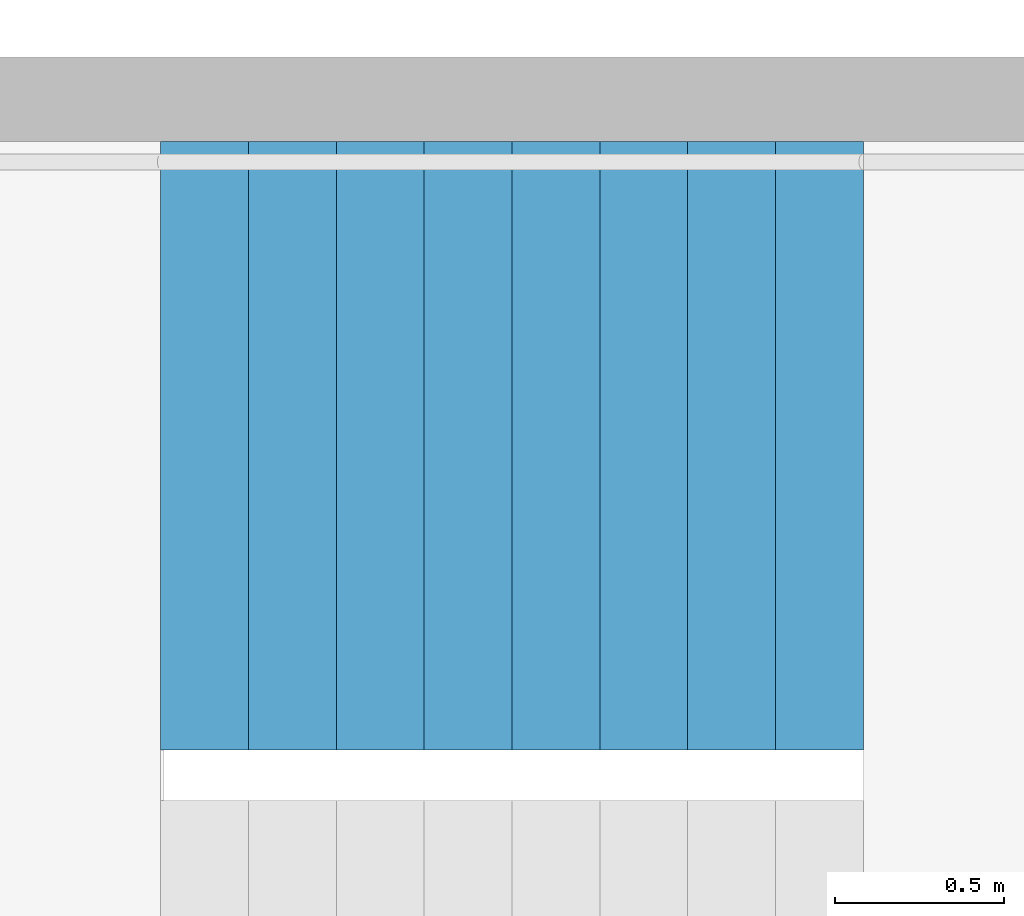
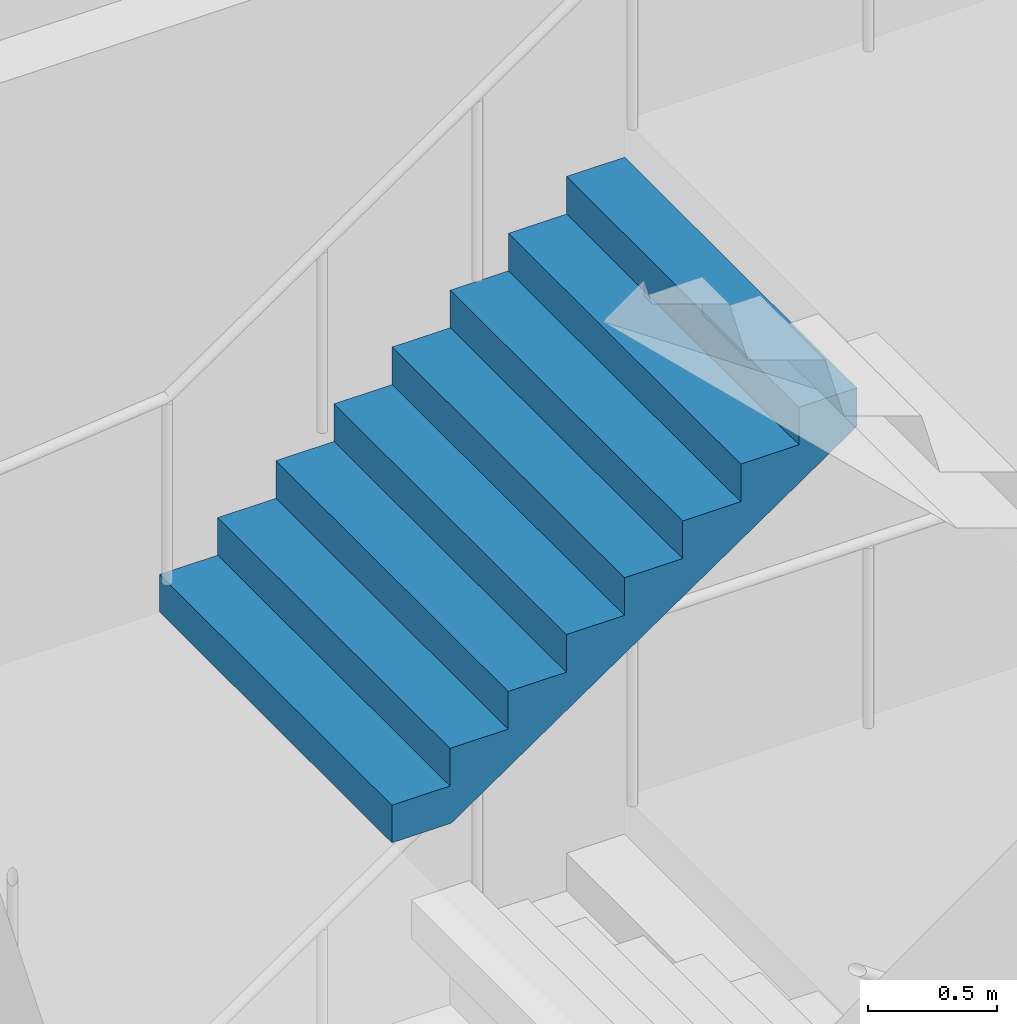
# One storey, part 26 of 41: 1 stair flight, 1 element without a shape of its own.
"""IFC4 building model written with IfcOpenShell, lengths in metres."""

from ifc_helpers import new_model, si_unit, direction, frame, origin, place, context, subcontext, project, spatial, triangles, material, type_object, element, aggregate, save


model = new_model("IFC4")

# Units and contexts
model_context = context("Model", 3, precision=1e-05, world=origin(), true_north=direction((0.0, 1.0)))
body_context = subcontext(model_context, "Body", "Model", "MODEL_VIEW")
ifc_project = project(units=[si_unit("LENGTHUNIT", "METRE"), si_unit("AREAUNIT", "SQUARE_METRE"), si_unit("VOLUMEUNIT", "CUBIC_METRE"), si_unit("PLANEANGLEUNIT", "RADIAN"), si_unit("MASSUNIT", "GRAM", prefix="KILO")], contexts=[model_context])

# Site, building, storey
site_placement = place(None, origin())
site = spatial("IfcSite", under=ifc_project, at=site_placement, CompositionType="ELEMENT")
building_placement = place(site_placement, origin())
building = spatial("IfcBuilding", under=site, at=building_placement, Name="Hakoniwa Tower and Hamabe Station Hall", CompositionType="ELEMENT")
storey_placement = place(building_placement, frame((0.0, 0.0, 180.199951171875)))
storey = spatial("IfcBuildingStorey", under=building, at=storey_placement, Name="L51", CompositionType="ELEMENT", Elevation=180.199951171875)

# Stair, stair flight
ifc_material_1 = material(Name="Concrete C40", Category="concrete")
stair_type = type_object("IfcStairType", Name="ESCAPE STAIR 1800", PredefinedType="HALF_TURN_STAIR", material=ifc_material_1)
stair_placement = place(storey_placement, origin())
stair = element("IfcStair", 1, at=stair_placement, inside=storey, type_object=stair_type, Name="Escape stair ST-4 L51", PredefinedType="HALF_TURN_STAIR")
ifc_material_2 = material(Name="Concrete C40", Category="concrete")
stair_flight_type = type_object("IfcStairFlightType", Name="STAIR FLIGHT 1800", PredefinedType="STRAIGHT", material=ifc_material_2)
stair_flight_placement = place(storey_placement, frame((23.39990234375, -4.64990234375, 3.199951171875), z_axis=(0.0, 0.0, 1.0), x_axis=(1.0, 0.0, 0.0)))
stair_flight = element("IfcStairFlight", 2, at=stair_flight_placement, type_object=stair_flight_type, Name="ST-4 flight 3", NumberOfRisers=9, NumberOfTreads=8, PredefinedType="STRAIGHT", RiserHeight=0.177777778, TreadLength=0.26, context=body_context, shape_type="Tessellation", body=[
    triangles([(0.0, 0.89990234375, 0.0), (0.260009765625, 0.89990234375, 0.0), (0.265625, 0.89990234375, 0.0), (0.52001953125, 0.89990234375, 0.174072265625), (0.780029296875, 0.89990234375, 0.351806640625), (1.0400390625, 0.89990234375, 0.529541015625), (1.300048828125, 0.89990234375, 0.707275390625), (1.56005859375, 0.89990234375, 0.885009765625), (1.820068359375, 0.89990234375, 1.062744140625), (2.080078125, 0.89990234375, 1.24072265625), (2.080078125, 0.89990234375, 1.422119140625), (1.820068359375, 0.89990234375, 1.422119140625), (1.820068359375, 0.89990234375, 1.244384765625), (1.56005859375, 0.89990234375, 1.244384765625), (1.56005859375, 0.89990234375, 1.066650390625), (1.300048828125, 0.89990234375, 1.066650390625), (1.300048828125, 0.89990234375, 0.888916015625), (1.0400390625, 0.89990234375, 0.888916015625), (1.0400390625, 0.89990234375, 0.711181640625), (0.780029296875, 0.89990234375, 0.711181640625), (0.780029296875, 0.89990234375, 0.533447265625), (0.52001953125, 0.89990234375, 0.533447265625), (0.52001953125, 0.89990234375, 0.35546875), (0.265625, 0.89990234375, 0.35546875), (0.260009765625, 0.89990234375, 0.35546875), (0.260009765625, 0.89990234375, 0.177734375), (0.0, 0.89990234375, 0.177734375), (0.0, 0.06005859375, 0.0), (0.260009765625, 0.06005859375, 0.0), (0.265625, 0.06005859375, 0.0), (0.52001953125, 0.06005859375, 0.174072265625), (0.780029296875, 0.06005859375, 0.351806640625), (1.0400390625, 0.06005859375, 0.529541015625), (1.300048828125, 0.06005859375, 0.707275390625), (1.56005859375, 0.06005859375, 0.885009765625), (1.820068359375, 0.06005859375, 1.062744140625), (2.080078125, 0.06005859375, 1.24072265625), (2.080078125, 0.06005859375, 1.422119140625), (1.820068359375, 0.06005859375, 1.422119140625), (1.820068359375, 0.06005859375, 1.244384765625), (1.56005859375, 0.06005859375, 1.244384765625), (1.56005859375, 0.06005859375, 1.066650390625), (1.300048828125, 0.06005859375, 1.066650390625), (1.300048828125, 0.06005859375, 0.888916015625), (1.0400390625, 0.06005859375, 0.888916015625), (1.0400390625, 0.06005859375, 0.711181640625), (0.780029296875, 0.06005859375, 0.711181640625), (0.780029296875, 0.06005859375, 0.533447265625), (0.52001953125, 0.06005859375, 0.533447265625), (0.52001953125, 0.06005859375, 0.35546875), (0.265625, 0.06005859375, 0.35546875), (0.260009765625, 0.06005859375, 0.35546875), (0.260009765625, 0.06005859375, 0.177734375), (0.0, 0.06005859375, 0.177734375), (0.0, 0.04296875, 0.0), (0.260009765625, 0.04296875, 0.0), (0.265625, 0.04296875, 0.0), (0.52001953125, 0.04296875, 0.174072265625), (0.780029296875, 0.04296875, 0.351806640625), (1.0400390625, 0.04296875, 0.529541015625), (1.300048828125, 0.04296875, 0.707275390625), (1.56005859375, 0.04296875, 0.885009765625), (1.820068359375, 0.04296875, 1.062744140625), (2.080078125, 0.04296875, 1.24072265625), (2.080078125, 0.04296875, 1.422119140625), (1.820068359375, 0.04296875, 1.422119140625), (1.820068359375, 0.04296875, 1.244384765625), (1.56005859375, 0.04296875, 1.244384765625), (1.56005859375, 0.04296875, 1.066650390625), (1.300048828125, 0.04296875, 1.066650390625), (1.300048828125, 0.04296875, 0.888916015625), (1.0400390625, 0.04296875, 0.888916015625), (1.0400390625, 0.04296875, 0.711181640625), (0.780029296875, 0.04296875, 0.711181640625), (0.780029296875, 0.04296875, 0.533447265625), (0.52001953125, 0.04296875, 0.533447265625), (0.52001953125, 0.04296875, 0.35546875), (0.265625, 0.04296875, 0.35546875), (0.260009765625, 0.04296875, 0.35546875), (0.260009765625, 0.04296875, 0.177734375), (0.0, 0.04296875, 0.177734375), (0.0, 0.025634765625, 0.0), (0.260009765625, 0.025634765625, 0.0), (0.265625, 0.025634765625, 0.0), (0.52001953125, 0.025634765625, 0.174072265625), (0.780029296875, 0.025634765625, 0.351806640625), (1.0400390625, 0.025634765625, 0.529541015625), (1.300048828125, 0.025634765625, 0.707275390625), (1.56005859375, 0.025634765625, 0.885009765625), (1.820068359375, 0.025634765625, 1.062744140625), (2.080078125, 0.025634765625, 1.24072265625), (2.080078125, 0.025634765625, 1.422119140625), (1.820068359375, 0.025634765625, 1.422119140625), (1.820068359375, 0.025634765625, 1.244384765625), (1.56005859375, 0.025634765625, 1.244384765625), (1.56005859375, 0.025634765625, 1.066650390625), (1.300048828125, 0.025634765625, 1.066650390625), (1.300048828125, 0.025634765625, 0.888916015625), (1.0400390625, 0.025634765625, 0.888916015625), (1.0400390625, 0.025634765625, 0.711181640625), (0.780029296875, 0.025634765625, 0.711181640625), (0.780029296875, 0.025634765625, 0.533447265625), (0.52001953125, 0.025634765625, 0.533447265625), (0.52001953125, 0.025634765625, 0.35546875), (0.265625, 0.025634765625, 0.35546875), (0.260009765625, 0.025634765625, 0.35546875), (0.260009765625, 0.025634765625, 0.177734375), (0.0, 0.025634765625, 0.177734375), (0.0, 0.008544921875, 0.0), (0.260009765625, 0.008544921875, 0.0), (0.265625, 0.008544921875, 0.0), (0.52001953125, 0.008544921875, 0.174072265625), (0.780029296875, 0.008544921875, 0.351806640625), (1.0400390625, 0.008544921875, 0.529541015625), (1.300048828125, 0.008544921875, 0.707275390625), (1.56005859375, 0.008544921875, 0.885009765625), (1.820068359375, 0.008544921875, 1.062744140625), (2.080078125, 0.008544921875, 1.24072265625), (2.080078125, 0.008544921875, 1.422119140625), (1.820068359375, 0.008544921875, 1.422119140625), (1.820068359375, 0.008544921875, 1.244384765625), (1.56005859375, 0.008544921875, 1.244384765625), (1.56005859375, 0.008544921875, 1.066650390625), (1.300048828125, 0.008544921875, 1.066650390625), (1.300048828125, 0.008544921875, 0.888916015625), (1.0400390625, 0.008544921875, 0.888916015625), (1.0400390625, 0.008544921875, 0.711181640625), (0.780029296875, 0.008544921875, 0.711181640625), (0.780029296875, 0.008544921875, 0.533447265625), (0.52001953125, 0.008544921875, 0.533447265625), (0.52001953125, 0.008544921875, 0.35546875), (0.265625, 0.008544921875, 0.35546875), (0.260009765625, 0.008544921875, 0.35546875), (0.260009765625, 0.008544921875, 0.177734375), (0.0, 0.008544921875, 0.177734375), (0.0, -0.008544921875, 0.0), (0.260009765625, -0.008544921875, 0.0), (0.265625, -0.008544921875, 0.0), (0.52001953125, -0.008544921875, 0.174072265625), (0.780029296875, -0.008544921875, 0.351806640625), (1.0400390625, -0.008544921875, 0.529541015625), (1.300048828125, -0.008544921875, 0.707275390625), (1.56005859375, -0.008544921875, 0.885009765625), (1.820068359375, -0.008544921875, 1.062744140625), (2.080078125, -0.008544921875, 1.24072265625), (2.080078125, -0.008544921875, 1.422119140625), (1.820068359375, -0.008544921875, 1.422119140625), (1.820068359375, -0.008544921875, 1.244384765625), (1.56005859375, -0.008544921875, 1.244384765625), (1.56005859375, -0.008544921875, 1.066650390625), (1.300048828125, -0.008544921875, 1.066650390625), (1.300048828125, -0.008544921875, 0.888916015625), (1.0400390625, -0.008544921875, 0.888916015625), (1.0400390625, -0.008544921875, 0.711181640625), (0.780029296875, -0.008544921875, 0.711181640625), (0.780029296875, -0.008544921875, 0.533447265625), (0.52001953125, -0.008544921875, 0.533447265625), (0.52001953125, -0.008544921875, 0.35546875), (0.265625, -0.008544921875, 0.35546875), (0.260009765625, -0.008544921875, 0.35546875), (0.260009765625, -0.008544921875, 0.177734375), (0.0, -0.008544921875, 0.177734375), (0.0, -0.025634765625, 0.0), (0.260009765625, -0.025634765625, 0.0), (0.265625, -0.025634765625, 0.0), (0.52001953125, -0.025634765625, 0.174072265625), (0.780029296875, -0.025634765625, 0.351806640625), (1.0400390625, -0.025634765625, 0.529541015625), (1.300048828125, -0.025634765625, 0.707275390625), (1.56005859375, -0.025634765625, 0.885009765625), (1.820068359375, -0.025634765625, 1.062744140625), (2.080078125, -0.025634765625, 1.24072265625), (2.080078125, -0.025634765625, 1.422119140625), (1.820068359375, -0.025634765625, 1.422119140625), (1.820068359375, -0.025634765625, 1.244384765625), (1.56005859375, -0.025634765625, 1.244384765625), (1.56005859375, -0.025634765625, 1.066650390625), (1.300048828125, -0.025634765625, 1.066650390625), (1.300048828125, -0.025634765625, 0.888916015625), (1.0400390625, -0.025634765625, 0.888916015625), (1.0400390625, -0.025634765625, 0.711181640625), (0.780029296875, -0.025634765625, 0.711181640625), (0.780029296875, -0.025634765625, 0.533447265625), (0.52001953125, -0.025634765625, 0.533447265625), (0.52001953125, -0.025634765625, 0.35546875), (0.265625, -0.025634765625, 0.35546875), (0.260009765625, -0.025634765625, 0.35546875), (0.260009765625, -0.025634765625, 0.177734375), (0.0, -0.025634765625, 0.177734375), (0.0, -0.04296875, 0.0), (0.260009765625, -0.04296875, 0.0), (0.265625, -0.04296875, 0.0), (0.52001953125, -0.04296875, 0.174072265625), (0.780029296875, -0.04296875, 0.351806640625), (1.0400390625, -0.04296875, 0.529541015625), (1.300048828125, -0.04296875, 0.707275390625), (1.56005859375, -0.04296875, 0.885009765625), (1.820068359375, -0.04296875, 1.062744140625), (2.080078125, -0.04296875, 1.24072265625), (2.080078125, -0.04296875, 1.422119140625), (1.820068359375, -0.04296875, 1.422119140625), (1.820068359375, -0.04296875, 1.244384765625), (1.56005859375, -0.04296875, 1.244384765625), (1.56005859375, -0.04296875, 1.066650390625), (1.300048828125, -0.04296875, 1.066650390625), (1.300048828125, -0.04296875, 0.888916015625), (1.0400390625, -0.04296875, 0.888916015625), (1.0400390625, -0.04296875, 0.711181640625), (0.780029296875, -0.04296875, 0.711181640625), (0.780029296875, -0.04296875, 0.533447265625), (0.52001953125, -0.04296875, 0.533447265625), (0.52001953125, -0.04296875, 0.35546875), (0.265625, -0.04296875, 0.35546875), (0.260009765625, -0.04296875, 0.35546875), (0.260009765625, -0.04296875, 0.177734375), (0.0, -0.04296875, 0.177734375), (0.0, -0.06005859375, 0.0), (0.260009765625, -0.06005859375, 0.0), (0.265625, -0.06005859375, 0.0), (0.52001953125, -0.06005859375, 0.174072265625), (0.780029296875, -0.06005859375, 0.351806640625), (1.0400390625, -0.06005859375, 0.529541015625), (1.300048828125, -0.06005859375, 0.707275390625), (1.56005859375, -0.06005859375, 0.885009765625), (1.820068359375, -0.06005859375, 1.062744140625), (2.080078125, -0.06005859375, 1.24072265625), (2.080078125, -0.06005859375, 1.422119140625), (1.820068359375, -0.06005859375, 1.422119140625), (1.820068359375, -0.06005859375, 1.244384765625), (1.56005859375, -0.06005859375, 1.244384765625), (1.56005859375, -0.06005859375, 1.066650390625), (1.300048828125, -0.06005859375, 1.066650390625), (1.300048828125, -0.06005859375, 0.888916015625), (1.0400390625, -0.06005859375, 0.888916015625), (1.0400390625, -0.06005859375, 0.711181640625), (0.780029296875, -0.06005859375, 0.711181640625), (0.780029296875, -0.06005859375, 0.533447265625), (0.52001953125, -0.06005859375, 0.533447265625), (0.52001953125, -0.06005859375, 0.35546875), (0.265625, -0.06005859375, 0.35546875), (0.260009765625, -0.06005859375, 0.35546875), (0.260009765625, -0.06005859375, 0.177734375), (0.0, -0.06005859375, 0.177734375), (0.0, -0.89990234375, 0.0), (0.260009765625, -0.89990234375, 0.0), (0.265625, -0.89990234375, 0.0), (0.52001953125, -0.89990234375, 0.174072265625), (0.780029296875, -0.89990234375, 0.351806640625), (1.0400390625, -0.89990234375, 0.529541015625), (1.300048828125, -0.89990234375, 0.707275390625), (1.56005859375, -0.89990234375, 0.885009765625), (1.820068359375, -0.89990234375, 1.062744140625), (2.080078125, -0.89990234375, 1.24072265625), (2.080078125, -0.89990234375, 1.422119140625), (1.820068359375, -0.89990234375, 1.422119140625), (1.820068359375, -0.89990234375, 1.244384765625), (1.56005859375, -0.89990234375, 1.244384765625), (1.56005859375, -0.89990234375, 1.066650390625), (1.300048828125, -0.89990234375, 1.066650390625), (1.300048828125, -0.89990234375, 0.888916015625), (1.0400390625, -0.89990234375, 0.888916015625), (1.0400390625, -0.89990234375, 0.711181640625), (0.780029296875, -0.89990234375, 0.711181640625), (0.780029296875, -0.89990234375, 0.533447265625), (0.52001953125, -0.89990234375, 0.533447265625), (0.52001953125, -0.89990234375, 0.35546875), (0.265625, -0.89990234375, 0.35546875), (0.260009765625, -0.89990234375, 0.35546875), (0.260009765625, -0.89990234375, 0.177734375), (0.0, -0.89990234375, 0.177734375)], [[2, 27, 26], [245, 269, 270], [2, 1, 27], [245, 270, 244], [3, 25, 24], [246, 267, 268], [3, 26, 25], [246, 268, 269], [3, 2, 26], [246, 269, 245], [4, 24, 23], [247, 266, 267], [4, 3, 24], [247, 267, 246], [5, 22, 21], [248, 264, 265], [5, 23, 22], [248, 265, 266], [5, 4, 23], [248, 266, 247], [6, 20, 19], [249, 262, 263], [6, 21, 20], [249, 263, 264], [6, 5, 21], [249, 264, 248], [7, 18, 17], [250, 260, 261], [7, 19, 18], [250, 261, 262], [7, 6, 19], [250, 262, 249], [8, 16, 15], [251, 258, 259], [8, 17, 16], [251, 259, 260], [8, 7, 17], [251, 260, 250], [9, 14, 13], [252, 256, 257], [9, 15, 14], [252, 257, 258], [9, 8, 15], [252, 258, 251], [10, 12, 11], [253, 254, 255], [10, 13, 12], [253, 255, 256], [10, 9, 13], [253, 256, 252], [1, 2, 29], [1, 29, 28], [28, 29, 56], [28, 56, 55], [55, 56, 83], [55, 83, 82], [82, 83, 110], [82, 110, 109], [109, 110, 137], [109, 137, 136], [136, 137, 164], [136, 164, 163], [163, 164, 191], [163, 191, 190], [190, 191, 218], [190, 218, 217], [217, 218, 245], [217, 245, 244], [2, 3, 30], [2, 30, 29], [29, 30, 57], [29, 57, 56], [56, 57, 84], [56, 84, 83], [83, 84, 111], [83, 111, 110], [110, 111, 138], [110, 138, 137], [137, 138, 165], [137, 165, 164], [164, 165, 192], [164, 192, 191], [191, 192, 219], [191, 219, 218], [218, 219, 246], [218, 246, 245], [3, 4, 31], [3, 31, 30], [30, 31, 58], [30, 58, 57], [57, 58, 85], [57, 85, 84], [84, 85, 112], [84, 112, 111], [111, 112, 139], [111, 139, 138], [138, 139, 166], [138, 166, 165], [165, 166, 193], [165, 193, 192], [192, 193, 220], [192, 220, 219], [219, 220, 247], [219, 247, 246], [4, 5, 32], [4, 32, 31], [31, 32, 59], [31, 59, 58], [58, 59, 86], [58, 86, 85], [85, 86, 113], [85, 113, 112], [112, 113, 140], [112, 140, 139], [139, 140, 167], [139, 167, 166], [166, 167, 194], [166, 194, 193], [193, 194, 221], [193, 221, 220], [220, 221, 248], [220, 248, 247], [5, 6, 33], [5, 33, 32], [32, 33, 60], [32, 60, 59], [59, 60, 87], [59, 87, 86], [86, 87, 114], [86, 114, 113], [113, 114, 141], [113, 141, 140], [140, 141, 168], [140, 168, 167], [167, 168, 195], [167, 195, 194], [194, 195, 222], [194, 222, 221], [221, 222, 249], [221, 249, 248], [6, 7, 34], [6, 34, 33], [33, 34, 61], [33, 61, 60], [60, 61, 88], [60, 88, 87], [87, 88, 115], [87, 115, 114], [114, 115, 142], [114, 142, 141], [141, 142, 169], [141, 169, 168], [168, 169, 196], [168, 196, 195], [195, 196, 223], [195, 223, 222], [222, 223, 250], [222, 250, 249], [7, 8, 35], [7, 35, 34], [34, 35, 62], [34, 62, 61], [61, 62, 89], [61, 89, 88], [88, 89, 116], [88, 116, 115], [115, 116, 143], [115, 143, 142], [142, 143, 170], [142, 170, 169], [169, 170, 197], [169, 197, 196], [196, 197, 224], [196, 224, 223], [223, 224, 251], [223, 251, 250], [8, 9, 36], [8, 36, 35], [35, 36, 63], [35, 63, 62], [62, 63, 90], [62, 90, 89], [89, 90, 117], [89, 117, 116], [116, 117, 144], [116, 144, 143], [143, 144, 171], [143, 171, 170], [170, 171, 198], [170, 198, 197], [197, 198, 225], [197, 225, 224], [224, 225, 252], [224, 252, 251], [9, 10, 37], [9, 37, 36], [36, 37, 64], [36, 64, 63], [63, 64, 91], [63, 91, 90], [90, 91, 118], [90, 118, 117], [117, 118, 145], [117, 145, 144], [144, 145, 172], [144, 172, 171], [171, 172, 199], [171, 199, 198], [198, 199, 226], [198, 226, 225], [225, 226, 253], [225, 253, 252], [10, 11, 38], [10, 38, 37], [37, 38, 65], [37, 65, 64], [64, 65, 92], [64, 92, 91], [91, 92, 119], [91, 119, 118], [118, 119, 146], [118, 146, 145], [145, 146, 173], [145, 173, 172], [172, 173, 200], [172, 200, 199], [199, 200, 227], [199, 227, 226], [226, 227, 254], [226, 254, 253], [11, 12, 39], [11, 39, 38], [38, 39, 66], [38, 66, 65], [65, 66, 93], [65, 93, 92], [92, 93, 120], [92, 120, 119], [119, 120, 147], [119, 147, 146], [146, 147, 174], [146, 174, 173], [173, 174, 201], [173, 201, 200], [200, 201, 228], [200, 228, 227], [227, 228, 255], [227, 255, 254], [12, 13, 40], [12, 40, 39], [39, 40, 67], [39, 67, 66], [66, 67, 94], [66, 94, 93], [93, 94, 121], [93, 121, 120], [120, 121, 148], [120, 148, 147], [147, 148, 175], [147, 175, 174], [174, 175, 202], [174, 202, 201], [201, 202, 229], [201, 229, 228], [228, 229, 256], [228, 256, 255], [13, 14, 41], [13, 41, 40], [40, 41, 68], [40, 68, 67], [67, 68, 95], [67, 95, 94], [94, 95, 122], [94, 122, 121], [121, 122, 149], [121, 149, 148], [148, 149, 176], [148, 176, 175], [175, 176, 203], [175, 203, 202], [202, 203, 230], [202, 230, 229], [229, 230, 257], [229, 257, 256], [14, 15, 42], [14, 42, 41], [41, 42, 69], [41, 69, 68], [68, 69, 96], [68, 96, 95], [95, 96, 123], [95, 123, 122], [122, 123, 150], [122, 150, 149], [149, 150, 177], [149, 177, 176], [176, 177, 204], [176, 204, 203], [203, 204, 231], [203, 231, 230], [230, 231, 258], [230, 258, 257], [15, 16, 43], [15, 43, 42], [42, 43, 70], [42, 70, 69], [69, 70, 97], [69, 97, 96], [96, 97, 124], [96, 124, 123], [123, 124, 151], [123, 151, 150], [150, 151, 178], [150, 178, 177], [177, 178, 205], [177, 205, 204], [204, 205, 232], [204, 232, 231], [231, 232, 259], [231, 259, 258], [16, 17, 44], [16, 44, 43], [43, 44, 71], [43, 71, 70], [70, 71, 98], [70, 98, 97], [97, 98, 125], [97, 125, 124], [124, 125, 152], [124, 152, 151], [151, 152, 179], [151, 179, 178], [178, 179, 206], [178, 206, 205], [205, 206, 233], [205, 233, 232], [232, 233, 260], [232, 260, 259], [17, 18, 45], [17, 45, 44], [44, 45, 72], [44, 72, 71], [71, 72, 99], [71, 99, 98], [98, 99, 126], [98, 126, 125], [125, 126, 153], [125, 153, 152], [152, 153, 180], [152, 180, 179], [179, 180, 207], [179, 207, 206], [206, 207, 234], [206, 234, 233], [233, 234, 261], [233, 261, 260], [18, 19, 46], [18, 46, 45], [45, 46, 73], [45, 73, 72], [72, 73, 100], [72, 100, 99], [99, 100, 127], [99, 127, 126], [126, 127, 154], [126, 154, 153], [153, 154, 181], [153, 181, 180], [180, 181, 208], [180, 208, 207], [207, 208, 235], [207, 235, 234], [234, 235, 262], [234, 262, 261], [19, 20, 47], [19, 47, 46], [46, 47, 74], [46, 74, 73], [73, 74, 101], [73, 101, 100], [100, 101, 128], [100, 128, 127], [127, 128, 155], [127, 155, 154], [154, 155, 182], [154, 182, 181], [181, 182, 209], [181, 209, 208], [208, 209, 236], [208, 236, 235], [235, 236, 263], [235, 263, 262], [20, 21, 48], [20, 48, 47], [47, 48, 75], [47, 75, 74], [74, 75, 102], [74, 102, 101], [101, 102, 129], [101, 129, 128], [128, 129, 156], [128, 156, 155], [155, 156, 183], [155, 183, 182], [182, 183, 210], [182, 210, 209], [209, 210, 237], [209, 237, 236], [236, 237, 264], [236, 264, 263], [21, 22, 49], [21, 49, 48], [48, 49, 76], [48, 76, 75], [75, 76, 103], [75, 103, 102], [102, 103, 130], [102, 130, 129], [129, 130, 157], [129, 157, 156], [156, 157, 184], [156, 184, 183], [183, 184, 211], [183, 211, 210], [210, 211, 238], [210, 238, 237], [237, 238, 265], [237, 265, 264], [22, 23, 50], [22, 50, 49], [49, 50, 77], [49, 77, 76], [76, 77, 104], [76, 104, 103], [103, 104, 131], [103, 131, 130], [130, 131, 158], [130, 158, 157], [157, 158, 185], [157, 185, 184], [184, 185, 212], [184, 212, 211], [211, 212, 239], [211, 239, 238], [238, 239, 266], [238, 266, 265], [23, 24, 51], [23, 51, 50], [50, 51, 78], [50, 78, 77], [77, 78, 105], [77, 105, 104], [104, 105, 132], [104, 132, 131], [131, 132, 159], [131, 159, 158], [158, 159, 186], [158, 186, 185], [185, 186, 213], [185, 213, 212], [212, 213, 240], [212, 240, 239], [239, 240, 267], [239, 267, 266], [24, 25, 52], [24, 52, 51], [51, 52, 79], [51, 79, 78], [78, 79, 106], [78, 106, 105], [105, 106, 133], [105, 133, 132], [132, 133, 160], [132, 160, 159], [159, 160, 187], [159, 187, 186], [186, 187, 214], [186, 214, 213], [213, 214, 241], [213, 241, 240], [240, 241, 268], [240, 268, 267], [25, 26, 53], [25, 53, 52], [52, 53, 80], [52, 80, 79], [79, 80, 107], [79, 107, 106], [106, 107, 134], [106, 134, 133], [133, 134, 161], [133, 161, 160], [160, 161, 188], [160, 188, 187], [187, 188, 215], [187, 215, 214], [214, 215, 242], [214, 242, 241], [241, 242, 269], [241, 269, 268], [26, 27, 54], [26, 54, 53], [53, 54, 81], [53, 81, 80], [80, 81, 108], [80, 108, 107], [107, 108, 135], [107, 135, 134], [134, 135, 162], [134, 162, 161], [161, 162, 189], [161, 189, 188], [188, 189, 216], [188, 216, 215], [215, 216, 243], [215, 243, 242], [242, 243, 270], [242, 270, 269], [27, 1, 28], [27, 28, 54], [54, 28, 55], [54, 55, 81], [81, 55, 82], [81, 82, 108], [108, 82, 109], [108, 109, 135], [135, 109, 136], [135, 136, 162], [162, 136, 163], [162, 163, 189], [189, 163, 190], [189, 190, 216], [216, 190, 217], [216, 217, 243], [243, 217, 244], [243, 244, 270]], closed=True),
])
aggregate(stair, [stair_flight])

save(model, "model.ifc")
